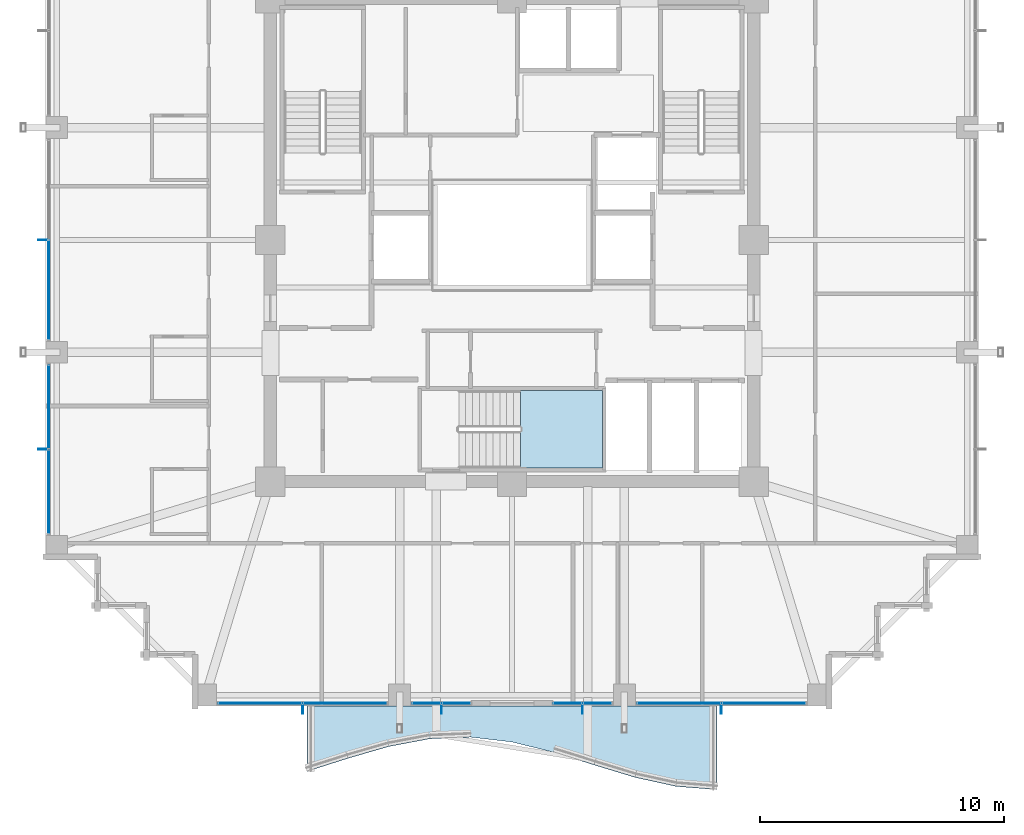
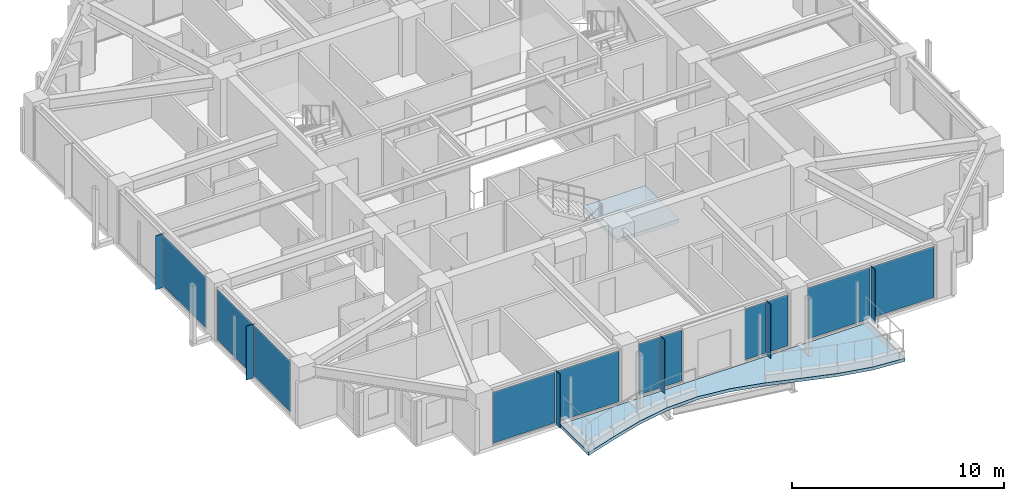
# One storey, part 21 of 32: 17 plates, 2 slabs, 7 elements without a shape of their own.
"""IFC4 building model written with IfcOpenShell, lengths in metres."""

from ifc_helpers import new_model, si_unit, direction, frame, origin, origin_2d, place, context, subcontext, project, spatial, polyline, rectangle, outline, extrude, material, layer, layer_set, type_object, element, aggregate, save


model = new_model("IFC4")

# Units and contexts
model_context = context("Model", 3, precision=1e-05, world=origin(), true_north=direction((0.0, 1.0)))
body_context = subcontext(model_context, "Body", "Model", "MODEL_VIEW")
ifc_project = project(units=[si_unit("LENGTHUNIT", "METRE"), si_unit("AREAUNIT", "SQUARE_METRE"), si_unit("VOLUMEUNIT", "CUBIC_METRE"), si_unit("PLANEANGLEUNIT", "RADIAN"), si_unit("MASSUNIT", "GRAM", prefix="KILO")], contexts=[model_context])

# Site, building, storey
site_placement = place(None, origin())
site = spatial("IfcSite", under=ifc_project, at=site_placement, CompositionType="ELEMENT")
building_placement = place(site_placement, origin())
building = spatial("IfcBuilding", under=site, at=building_placement, Name="Kolvaren Belvedere", CompositionType="ELEMENT")
storey_placement = place(building_placement, frame((0.0, 0.0, 160.199951171875)))
storey = spatial("IfcBuildingStorey", under=building, at=storey_placement, Name="L46", CompositionType="ELEMENT", Elevation=160.199951171875)

# Curtain wall, plates
ifc_material_1 = material(Name="Anodised pale-metal aluminium AA 6063-T6", Category="aluminium")
curtain_wall_type = type_object("IfcCurtainWallType", Name="CW-Z3-WAIST", PredefinedType="NOTDEFINED", material=ifc_material_1)
curtain_wall_1_placement = place(storey_placement, origin())
curtain_wall_1 = element("IfcCurtainWall", 1, at=curtain_wall_1_placement, inside=storey, type_object=curtain_wall_type, Name="L46 Unitised Curtain Wall FCW-L46-S1-B1", PredefinedType="NOTDEFINED")
ifc_material_2 = material(Name="Low-iron triple insulated glass", Category="glass")
ifc_layer_1 = layer(ifc_material_2, 0.028076171875)
ifc_layer_set_1 = layer_set([ifc_layer_1], Name="Low-iron triple insulated glass")
plate_type_1 = type_object("IfcPlateType", Name="CW-PNL-VIS28", PredefinedType="CURTAIN_PANEL", material=ifc_layer_set_1)
plate_1_placement = place(storey_placement, frame((10.311279296875, -18.97998046875, 0.080078125), z_axis=(0.0, 0.0, 1.0), x_axis=(-1.0, 0.0, 0.0)))
plate_1 = element("IfcPlate", 2, at=plate_1_placement, type_object=plate_type_1, Name="FCW-L46-S1-B1 Vision Glazing Panel 1", PredefinedType="CURTAIN_PANEL", context=body_context, shape_type="SweptSolid", body=[
    extrude(rectangle(XDim=3.392578125, YDim=0.028076171875, at=origin_2d()), origin(), (0.0, 0.0, 1.0), 2.93994140625),
])
plate_2_placement = place(storey_placement, frame((6.8388671875, -18.97998046875, 0.080078125), z_axis=(0.0, 0.0, 1.0), x_axis=(-1.0, 0.0, 0.0)))
plate_2 = element("IfcPlate", 3, at=plate_2_placement, type_object=plate_type_1, Name="FCW-L46-S1-B1 Vision Glazing Panel 2", PredefinedType="CURTAIN_PANEL", context=body_context, shape_type="SweptSolid", body=[
    extrude(rectangle(XDim=3.392578125, YDim=0.028076171875, at=origin_2d()), origin(), (0.0, 0.0, 1.0), 2.93994140625),
])
aggregate(curtain_wall_1, [plate_1, plate_2])

curtain_wall_2_placement = place(storey_placement, origin())
curtain_wall_2 = element("IfcCurtainWall", 4, at=curtain_wall_2_placement, inside=storey, type_object=curtain_wall_type, Name="L46 Unitised Curtain Wall FCW-L46-S1-B2", PredefinedType="NOTDEFINED")
plate_3_placement = place(storey_placement, frame((3.4931640625, -18.97998046875, 0.080078125), z_axis=(0.0, 0.0, 1.0), x_axis=(-1.0, 0.0, 0.0)))
plate_3 = element("IfcPlate", 5, at=plate_3_placement, type_object=plate_type_1, Name="FCW-L46-S1-B2 Vision Glazing Panel 1", PredefinedType="CURTAIN_PANEL", context=body_context, shape_type="SweptSolid", body=[
    extrude(rectangle(XDim=1.12890625, YDim=0.028076171875, at=origin_2d()), origin(), (0.0, 0.0, 1.0), 2.93994140625),
])
plate_4_placement = place(storey_placement, frame((2.284423828125, -18.97998046875, 0.080078125), z_axis=(0.0, 0.0, 1.0), x_axis=(-1.0, 0.0, 0.0)))
plate_4 = element("IfcPlate", 6, at=plate_4_placement, type_object=plate_type_1, Name="FCW-L46-S1-B2 Vision Glazing Panel 2", PredefinedType="CURTAIN_PANEL", context=body_context, shape_type="SweptSolid", body=[
    extrude(rectangle(XDim=1.12890625, YDim=0.028076171875, at=origin_2d()), origin(), (0.0, 0.0, 1.0), 2.93994140625),
])
aggregate(curtain_wall_2, [plate_3, plate_4])

curtain_wall_3_placement = place(storey_placement, origin())
curtain_wall_3 = element("IfcCurtainWall", 7, at=curtain_wall_3_placement, inside=storey, type_object=curtain_wall_type, Name="L46 Unitised Curtain Wall FCW-L46-S2-B1", PredefinedType="NOTDEFINED")
plate_5_placement = place(storey_placement, frame((-2.284423828125, -18.97998046875, 0.080078125), z_axis=(0.0, 0.0, 1.0), x_axis=(-1.0, 0.0, 0.0)))
plate_5 = element("IfcPlate", 8, at=plate_5_placement, type_object=plate_type_1, Name="FCW-L46-S2-B1 Vision Glazing Panel 1", PredefinedType="CURTAIN_PANEL", context=body_context, shape_type="SweptSolid", body=[
    extrude(rectangle(XDim=1.12890625, YDim=0.028076171875, at=origin_2d()), origin(), (0.0, 0.0, 1.0), 2.93994140625),
])
plate_6_placement = place(storey_placement, frame((-3.4931640625, -18.97998046875, 0.080078125), z_axis=(0.0, 0.0, 1.0), x_axis=(-1.0, 0.0, 0.0)))
plate_6 = element("IfcPlate", 9, at=plate_6_placement, type_object=plate_type_1, Name="FCW-L46-S2-B1 Vision Glazing Panel 2", PredefinedType="CURTAIN_PANEL", context=body_context, shape_type="SweptSolid", body=[
    extrude(rectangle(XDim=1.12890625, YDim=0.028076171875, at=origin_2d()), origin(), (0.0, 0.0, 1.0), 2.93994140625),
])
aggregate(curtain_wall_3, [plate_5, plate_6])

curtain_wall_4_placement = place(storey_placement, origin())
curtain_wall_4 = element("IfcCurtainWall", 10, at=curtain_wall_4_placement, inside=storey, type_object=curtain_wall_type, Name="L46 Unitised Curtain Wall FCW-L46-S2-B2", PredefinedType="NOTDEFINED")
plate_7_placement = place(storey_placement, frame((-6.8388671875, -18.97998046875, 0.080078125), z_axis=(0.0, 0.0, 1.0), x_axis=(-1.0, 0.0, 0.0)))
plate_7 = element("IfcPlate", 11, at=plate_7_placement, type_object=plate_type_1, Name="FCW-L46-S2-B2 Vision Glazing Panel 1", PredefinedType="CURTAIN_PANEL", context=body_context, shape_type="SweptSolid", body=[
    extrude(rectangle(XDim=3.392578125, YDim=0.028076171875, at=origin_2d()), origin(), (0.0, 0.0, 1.0), 2.93994140625),
])
plate_8_placement = place(storey_placement, frame((-10.311279296875, -18.97998046875, 0.080078125), z_axis=(0.0, 0.0, 1.0), x_axis=(-1.0, 0.0, 0.0)))
plate_8 = element("IfcPlate", 12, at=plate_8_placement, type_object=plate_type_1, Name="FCW-L46-S2-B2 Vision Glazing Panel 2", PredefinedType="CURTAIN_PANEL", context=body_context, shape_type="SweptSolid", body=[
    extrude(rectangle(XDim=3.392578125, YDim=0.028076171875, at=origin_2d()), origin(), (0.0, 0.0, 1.0), 2.93994140625),
])
aggregate(curtain_wall_4, [plate_7, plate_8])

curtain_wall_5_placement = place(storey_placement, origin())
curtain_wall_5 = element("IfcCurtainWall", 13, at=curtain_wall_5_placement, inside=storey, type_object=curtain_wall_type, Name="L46 Unitised Curtain Wall FCW-L46-W-B1", PredefinedType="NOTDEFINED")
plate_9_placement = place(storey_placement, frame((-18.97998046875, -10.311279296875, 0.080078125), z_axis=(0.0, 0.0, 1.0), x_axis=(0.0, 1.0, 0.0)))
plate_9 = element("IfcPlate", 14, at=plate_9_placement, type_object=plate_type_1, Name="FCW-L46-W-B1 Vision Glazing Panel 1", PredefinedType="CURTAIN_PANEL", context=body_context, shape_type="SweptSolid", body=[
    extrude(rectangle(XDim=3.392578125, YDim=0.028076171875, at=origin_2d()), origin(), (0.0, 0.0, 1.0), 2.93994140625),
])
plate_10_placement = place(storey_placement, frame((-18.97998046875, -6.8388671875, 0.080078125), z_axis=(0.0, 0.0, 1.0), x_axis=(0.0, 1.0, 0.0)))
plate_10 = element("IfcPlate", 15, at=plate_10_placement, type_object=plate_type_1, Name="FCW-L46-W-B1 Vision Glazing Panel 2", PredefinedType="CURTAIN_PANEL", context=body_context, shape_type="SweptSolid", body=[
    extrude(rectangle(XDim=3.392578125, YDim=0.028076171875, at=origin_2d()), origin(), (0.0, 0.0, 1.0), 2.93994140625),
])
aggregate(curtain_wall_5, [plate_9, plate_10])

# Curtain wall, plate
curtain_wall_6_placement = place(storey_placement, origin())
curtain_wall_6 = element("IfcCurtainWall", 16, at=curtain_wall_6_placement, inside=storey, type_object=curtain_wall_type, Name="L46 Unitised Curtain Wall FCW-L46-W-B2", PredefinedType="NOTDEFINED")
plate_11_placement = place(storey_placement, frame((-18.97998046875, -2.048828125, 0.080078125), z_axis=(0.0, 0.0, 1.0), x_axis=(0.0, 1.0, 0.0)))
plate_11 = element("IfcPlate", 17, at=plate_11_placement, type_object=plate_type_1, Name="FCW-L46-W-B2 Vision Glazing Panel 1", PredefinedType="CURTAIN_PANEL", context=body_context, shape_type="SweptSolid", body=[
    extrude(rectangle(XDim=4.017578125, YDim=0.028076171875, at=origin_2d()), origin(), (0.0, 0.0, 1.0), 2.93994140625),
])
aggregate(curtain_wall_6, [plate_11])

# Plates
ifc_material_3 = material(Name="Anodised pale-metal aluminium AA 6063-T6", Category="aluminium")
ifc_layer_2 = layer(ifc_material_3, 0.033935546875)
ifc_layer_set_2 = layer_set([ifc_layer_2], Name="Anodised pale-metal aluminium AA 6063-T6")
plate_type_2 = type_object("IfcPlateType", Name="FIN-VERT-380", PredefinedType="USERDEFINED", material=ifc_layer_set_2)
for number, where, z_axis, x_axis, name in (
    (18, (8.574951171875, -19.219970703125, 0.0), (0.0, 0.0, 1.0), (0.0, 1.0, 0.0), "L46 Pale-Metal Vertical Shading Fin FCW-L46-S1-B1-1"),
    (19, (2.888671875, -19.219970703125, 0.0), (0.0, 0.0, 1.0), (0.0, 1.0, 0.0), "L46 Pale-Metal Vertical Shading Fin FCW-L46-S1-B2-1"),
    (20, (-2.888671875, -19.219970703125, 0.0), (0.0, 0.0, 1.0), (0.0, 1.0, 0.0), "L46 Pale-Metal Vertical Shading Fin FCW-L46-S2-B1-1"),
    (21, (-8.574951171875, -19.219970703125, 0.0), (0.0, 0.0, 1.0), (0.0, 1.0, 0.0), "L46 Pale-Metal Vertical Shading Fin FCW-L46-S2-B2-1"),
    (22, (-19.219970703125, -8.574951171875, 0.0), (0.0, 0.0, 1.0), (1.0, 0.0, 0.0), "L46 Pale-Metal Vertical Shading Fin FCW-L46-W-B1-1"),
    (23, (-19.219970703125, 0.0, 0.0), (0.0, 0.0, 1.0), (1.0, 0.0, 0.0), "L46 Pale-Metal Vertical Shading Fin FCW-L46-W-B2-1"),
):
    element("IfcPlate", number, at=place(storey_placement, frame(where, z_axis=z_axis, x_axis=x_axis)), inside=storey, type_object=plate_type_2, Name=name, ObjectType="VERTICAL FIN", PredefinedType="USERDEFINED", context=body_context, shape_type="SweptSolid", body=[
        extrude(rectangle(XDim=0.3798828125, YDim=0.033935546875, at=origin_2d()), origin(), (0.0, 0.0, 1.0), 3.10009765625),
    ])

# Slab
ifc_material_4 = material(Name="Concrete C50/60", Category="concrete")
ifc_layer_3 = layer(ifc_material_4, 0.179931640625)
ifc_layer_set_3 = layer_set([ifc_layer_3], Name="Concrete C50/60")
slab_type_1 = type_object("IfcSlabType", Name="SL-BAL-180", PredefinedType="FLOOR", material=ifc_layer_set_3)
slab_1_placement = place(storey_placement, frame((0.0, 0.0, -0.199951171875)))
element("IfcSlab", 24, at=slab_1_placement, inside=storey, type_object=slab_type_1, Name="L46 Planted Balcony BAL-S", PredefinedType="FLOOR", context=body_context, shape_type="SweptSolid", body=[
    extrude(outline(polyline([(-8.39990234375, -21.773681640625), (-6.719970703125, -21.237548828125), (-5.0400390625, -20.751708984375), (-3.360107421875, -20.435791015625), (-1.679931640625, -20.368408203125), (0.0, -20.56640625), (1.679931640625, -20.980224609375), (3.360107421875, -21.5078125), (5.0400390625, -22.018798828125), (6.719970703125, -22.386474609375), (8.39990234375, -22.52001953125), (8.39990234375, -19.10009765625), (6.719970703125, -19.10009765625), (5.0400390625, -19.10009765625), (3.360107421875, -19.10009765625), (1.679931640625, -19.10009765625), (0.0, -19.10009765625), (-1.679931640625, -19.10009765625), (-3.360107421875, -19.10009765625), (-5.0400390625, -19.10009765625), (-6.719970703125, -19.10009765625), (-8.39990234375, -19.10009765625), (-8.39990234375, -21.773681640625)])), origin(), (0.0, 0.0, 1.0), 0.179931640625),
])

# Stair, slab
ifc_material_5 = material(Name="Concrete C50/60", Category="concrete")
stair_type = type_object("IfcStairType", Name="ST-CORE-1520", PredefinedType="HALF_TURN_STAIR", material=ifc_material_5)
stair_placement = place(storey_placement, origin())
stair = element("IfcStair", 25, at=stair_placement, inside=storey, type_object=stair_type, Name="L46 Protected Exit Stair ST-3", PredefinedType="HALF_TURN_STAIR")
ifc_material_6 = material(Name="Concrete C50/60", Category="concrete")
ifc_layer_4 = layer(ifc_material_6, 0.260009765625)
ifc_layer_set_4 = layer_set([ifc_layer_4], Name="Concrete C50/60")
slab_type_2 = type_object("IfcSlabType", Name="SL-LAND-260", PredefinedType="LANDING", material=ifc_layer_set_4)
slab_2_placement = place(storey_placement, frame((0.0, 0.0, 1.449951171875)))
slab_2 = element("IfcSlab", 26, at=slab_2_placement, type_object=slab_type_2, Name="ST-3 landing 1", PredefinedType="LANDING", context=body_context, shape_type="SweptSolid", body=[
    extrude(outline(polyline([(0.340087890625, -9.35009765625), (3.699951171875, -9.35009765625), (3.699951171875, -6.159912109375), (0.340087890625, -6.159912109375), (0.340087890625, -9.35009765625)])), origin(), (0.0, 0.0, 1.0), 0.2001953125),
])
aggregate(stair, [slab_2])

save(model, "model.ifc")
